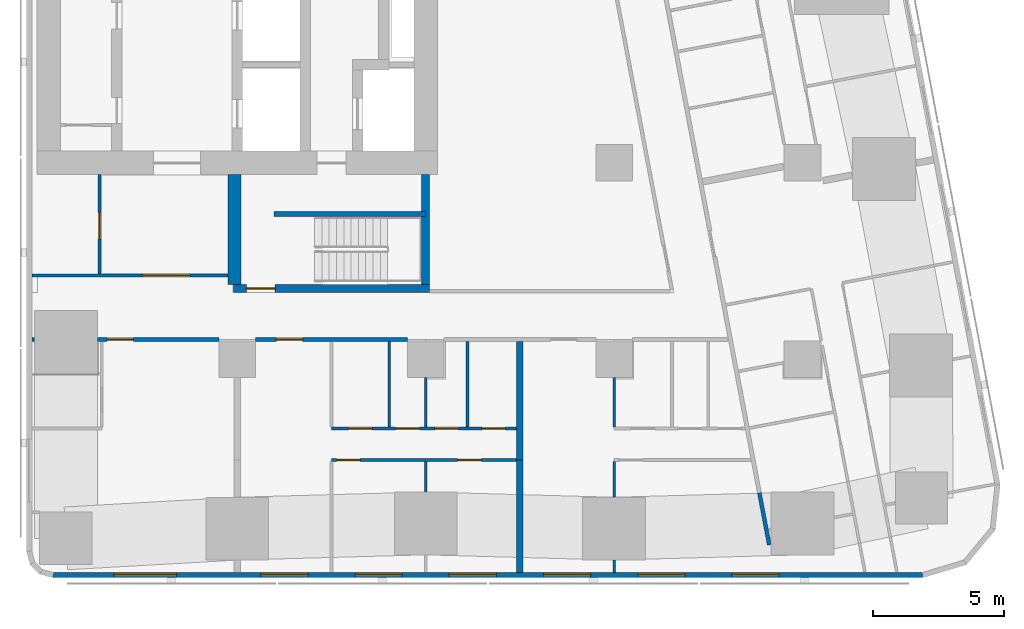
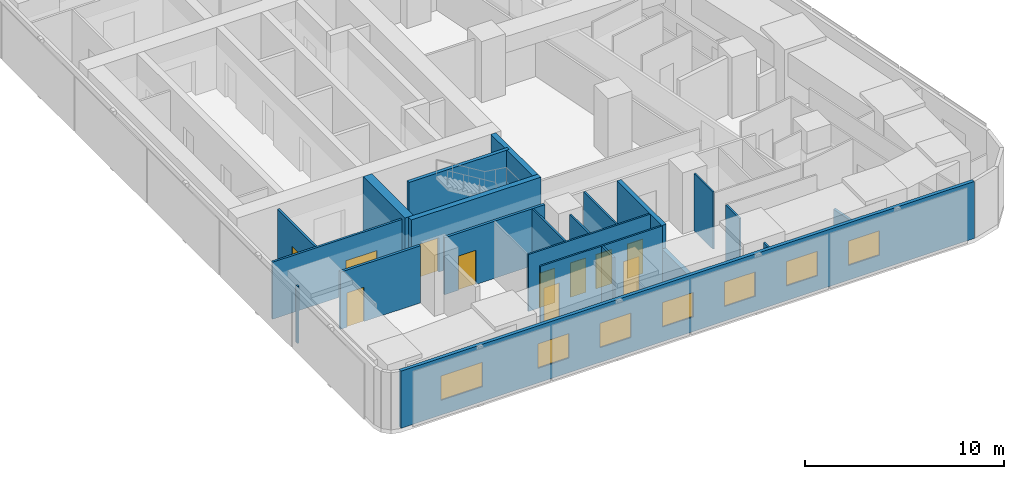
# One storey, part 2 of 10: 22 walls, 11 doors, 7 windows, 18 openings.
"""IFC4 building model written with IfcOpenShell, lengths in metres."""

from ifc_helpers import new_model, si_unit, direction, frame, frame_2d, origin, place, context, subcontext, project, spatial, rectangle, extrude, material, layer, layer_set, type_object, element, fill, save


model = new_model("IFC4")

# Units and contexts
model_context = context("Model", 3, precision=1e-05, world=origin(), true_north=direction((0.0, 1.0)))
body_context = subcontext(model_context, "Body", "Model", "MODEL_VIEW")
ifc_project = project(units=[si_unit("LENGTHUNIT", "METRE"), si_unit("AREAUNIT", "SQUARE_METRE"), si_unit("VOLUMEUNIT", "CUBIC_METRE"), si_unit("PLANEANGLEUNIT", "RADIAN"), si_unit("MASSUNIT", "GRAM", prefix="KILO")], contexts=[model_context])

# Site, building, storey
site_placement = place(None, origin())
site = spatial("IfcSite", under=ifc_project, at=site_placement, CompositionType="ELEMENT")
building_placement = place(site_placement, origin())
building = spatial("IfcBuilding", under=site, at=building_placement, Name="Sheger Commons Tower", CompositionType="ELEMENT")
storey_placement = place(building_placement, frame((0.0, 0.0, 238.699951171875)))
storey = spatial("IfcBuildingStorey", under=building, at=storey_placement, Name="L61", CompositionType="ELEMENT", Elevation=238.699951171875)

# Wall, opening, door
ifc_material_1 = material(Name="Hollow concrete block masonry, skimmed both sides", Category="masonry")
ifc_layer_1 = layer(ifc_material_1, 0.14990234375)
ifc_layer_set_1 = layer_set([ifc_layer_1], Name="CORRIDOR WALL 150")
wall_type_1 = type_object("IfcWallType", Name="CORRIDOR WALL 150", PredefinedType="SOLIDWALL", material=ifc_layer_set_1)
wall_1_placement = place(storey_placement, frame((28.09912109375, 8.25, 0.0), z_axis=(0.0, 0.0, 1.0), x_axis=(-1.0, 0.0, 0.0)))
wall_1 = element("IfcWall", 1, at=wall_1_placement, inside=storey, type_object=wall_type_1, Name="Corridor wall L61", PredefinedType="SOLIDWALL", context=body_context, shape_type="SweptSolid", body=[
    extrude(rectangle(XDim=5.798095703125, YDim=0.14990234375, at=frame_2d((2.89892578125, 0.0))), origin(), (0.0, 0.0, 1.0), 3.5),
])
opening_1_placement = place(wall_1_placement, frame((3.9990234375, 0.0, 0.0)))
opening_1 = element("IfcOpeningElement", 2, at=opening_1_placement, cuts=wall_1, Name="Opening D1", PredefinedType="OPENING", context=body_context, shape_type="SweptSolid", body=[
    extrude(rectangle(XDim=1.0, YDim=2.10009765625, at=frame_2d((0.5, 1.050048828125))), frame((0.0, 0.0849609375, 0.0), z_axis=(0.0, -1.0, 0.0), x_axis=(1.0, 0.0, 0.0)), (0.0, 0.0, 1.0), 0.169921875),
])
ifc_material_2 = material(Name="Steel door set, fire rated", Category="steel")
door_type_1 = type_object("IfcDoorType", Name="FLAT ENTRANCE DOOR 1000x2100", OperationType="NOTDEFINED", PredefinedType="DOOR", material=ifc_material_2)
door_1_placement = place(opening_1_placement, origin())
door_1 = element("IfcDoor", 3, at=door_1_placement, inside=storey, type_object=door_type_1, Name="Flat entrance door", OperationType="SINGLE_SWING_RIGHT", OverallHeight=2.10009765625, OverallWidth=1.0, PredefinedType="DOOR", context=body_context, shape_type="SweptSolid", body=[
    extrude(rectangle(XDim=1.0, YDim=2.10009765625, at=frame_2d((0.5, 1.050048828125))), frame((0.0, 0.02490234375, 0.0), z_axis=(0.0, -1.0, 0.0), x_axis=(1.0, 0.0, 0.0)), (0.0, 0.0, 1.0), 0.050048828125),
])
fill(opening_1, door_1)

wall_2_placement = place(storey_placement, frame((20.89892578125, 8.25, 0.0), z_axis=(0.0, 0.0, 1.0), x_axis=(-1.0, 0.0, 0.0)))
wall_2 = element("IfcWall", 4, at=wall_2_placement, inside=storey, type_object=wall_type_1, Name="Corridor wall L61", PredefinedType="SOLIDWALL", context=body_context, shape_type="SweptSolid", body=[
    extrude(rectangle(XDim=4.64404296875, YDim=0.14990234375, at=frame_2d((2.322021484375, 0.0))), origin(), (0.0, 0.0, 1.0), 3.5),
])
opening_2_placement = place(wall_2_placement, frame((3.27001953125, 0.0, 0.0)))
opening_2 = element("IfcOpeningElement", 5, at=opening_2_placement, cuts=wall_2, Name="Opening D1", PredefinedType="OPENING", context=body_context, shape_type="SweptSolid", body=[
    extrude(rectangle(XDim=1.0, YDim=2.10009765625, at=frame_2d((0.5, 1.050048828125))), frame((0.0, 0.0849609375, 0.0), z_axis=(0.0, -1.0, 0.0), x_axis=(1.0, 0.0, 0.0)), (0.0, 0.0, 1.0), 0.169921875),
])
door_2_placement = place(opening_2_placement, origin())
door_2 = element("IfcDoor", 6, at=door_2_placement, inside=storey, type_object=door_type_1, Name="Flat entrance door", OperationType="SINGLE_SWING_RIGHT", OverallHeight=2.10009765625, OverallWidth=1.0, PredefinedType="DOOR", context=body_context, shape_type="SweptSolid", body=[
    extrude(rectangle(XDim=1.0, YDim=2.10009765625, at=frame_2d((0.5, 1.050048828125))), frame((0.0, 0.02490234375, 0.0), z_axis=(0.0, -1.0, 0.0), x_axis=(1.0, 0.0, 0.0)), (0.0, 0.0, 1.0), 0.050048828125),
])
fill(opening_2, door_2)

# Walls
wall_3_placement = place(storey_placement, frame((13.85302734375, 8.25, 0.0), z_axis=(0.0, 0.0, 1.0), x_axis=(-1.0, 0.0, 0.0)))
element("IfcWall", 7, at=wall_3_placement, inside=storey, type_object=wall_type_1, Name="Corridor wall L61", PredefinedType="SOLIDWALL", context=body_context, shape_type="SweptSolid", body=[
    extrude(rectangle(XDim=0.10302734375, YDim=0.14990234375, at=frame_2d((0.051513671875, 0.0))), origin(), (0.0, 0.0, 1.0), 3.5),
])
wall_4_placement = place(storey_placement, frame((41.552001953125, 2.39208984375, 0.0), z_axis=(0.0, 0.0, 1.0), x_axis=(0.185535500323, -0.982637561932, 0.0)))
element("IfcWall", 8, at=wall_4_placement, inside=storey, type_object=wall_type_1, Name="Corridor wall L61", PredefinedType="SOLIDWALL", context=body_context, shape_type="SweptSolid", body=[
    extrude(rectangle(XDim=2.021240234375, YDim=0.14990234375, at=frame_2d((1.0107421875, 0.0))), origin(), (0.0, 0.0, 1.0), 2.050048828125),
])
ifc_material_3 = material(Name="Dense concrete block masonry, plastered both sides (separating wall between flats)", Category="masonry")
ifc_layer_2 = layer(ifc_material_3, 0.25)
ifc_layer_set_2 = layer_set([ifc_layer_2], Name="DEMISING WALL 250")
wall_type_2 = type_object("IfcWallType", Name="DEMISING WALL 250", PredefinedType="SOLIDWALL", material=ifc_layer_set_2)
wall_5_placement = place(storey_placement, frame((32.39990234375, -0.64990234375, 0.0), z_axis=(0.0, 0.0, 1.0), x_axis=(0.0, 1.0, 0.0)))
element("IfcWall", 9, at=wall_5_placement, inside=storey, type_object=wall_type_2, Name="Demising wall L61", PredefinedType="SOLIDWALL", context=body_context, shape_type="SweptSolid", body=[
    extrude(rectangle(XDim=4.2998046875, YDim=0.25, at=frame_2d((2.14990234375, 0.0))), origin(), (0.0, 0.0, 1.0), 2.050048828125),
])
wall_6_placement = place(storey_placement, frame((32.39990234375, 3.64990234375, 0.0), z_axis=(0.0, 0.0, 1.0), x_axis=(0.0, 1.0, 0.0)))
element("IfcWall", 10, at=wall_6_placement, inside=storey, type_object=wall_type_2, Name="Demising wall L61", PredefinedType="SOLIDWALL", context=body_context, shape_type="SweptSolid", body=[
    extrude(rectangle(XDim=4.525146484375, YDim=0.25, at=frame_2d((2.2626953125, 0.0))), origin(), (0.0, 0.0, 1.0), 3.5),
])

# Wall, openings, windows
ifc_material_4 = material(Name="Rendered concrete block masonry, dark grey", Category="masonry")
ifc_layer_3 = layer(ifc_material_4, 0.199951171875)
ifc_layer_set_3 = layer_set([ifc_layer_3], Name="FACADE WALL 200")
wall_type_3 = type_object("IfcWallType", Name="FACADE WALL 200", PredefinedType="SOLIDWALL", material=ifc_layer_set_3)
wall_7_placement = place(storey_placement, frame((14.56298828125, -0.75, 0.0), z_axis=(0.0, 0.0, 1.0), x_axis=(1.0, 0.0, 0.0)))
wall_7 = element("IfcWall", 11, at=wall_7_placement, inside=storey, type_object=wall_type_3, Name="Facade wall L61", PredefinedType="SOLIDWALL", context=body_context, shape_type="SweptSolid", body=[
    extrude(rectangle(XDim=33.22802734375, YDim=0.199951171875, at=frame_2d((16.614013671875, 0.0))), origin(), (0.0, 0.0, 1.0), 3.5),
])
opening_3_placement = place(wall_7_placement, frame((2.319091796875, 0.0, 0.89990234375)))
opening_3 = element("IfcOpeningElement", 12, at=opening_3_placement, cuts=wall_7, Name="Opening W1", PredefinedType="OPENING", context=body_context, shape_type="SweptSolid", body=[
    extrude(rectangle(XDim=2.39990234375, YDim=1.5, at=frame_2d((1.199951171875, 0.75))), frame((0.0, 0.10986328125, 0.0), z_axis=(0.0, -1.0, 0.0), x_axis=(1.0, 0.0, 0.0)), (0.0, 0.0, 1.0), 0.219970703125),
])
opening_4_placement = place(wall_7_placement, frame((7.93701171875, 0.0, 0.89990234375)))
opening_4 = element("IfcOpeningElement", 13, at=opening_4_placement, cuts=wall_7, Name="Opening W2", PredefinedType="OPENING", context=body_context, shape_type="SweptSolid", body=[
    extrude(rectangle(XDim=1.800048828125, YDim=1.5, at=frame_2d((0.89990234375, 0.75))), frame((0.0, 0.10986328125, 0.0), z_axis=(0.0, -1.0, 0.0), x_axis=(1.0, 0.0, 0.0)), (0.0, 0.0, 1.0), 0.219970703125),
])
opening_5_placement = place(wall_7_placement, frame((11.537109375, 0.0, 0.89990234375)))
opening_5 = element("IfcOpeningElement", 14, at=opening_5_placement, cuts=wall_7, Name="Opening W2", PredefinedType="OPENING", context=body_context, shape_type="SweptSolid", body=[
    extrude(rectangle(XDim=1.800048828125, YDim=1.5, at=frame_2d((0.89990234375, 0.75))), frame((0.0, 0.10986328125, 0.0), z_axis=(0.0, -1.0, 0.0), x_axis=(1.0, 0.0, 0.0)), (0.0, 0.0, 1.0), 0.219970703125),
])
opening_6_placement = place(wall_7_placement, frame((15.136962890625, 0.0, 0.89990234375)))
opening_6 = element("IfcOpeningElement", 15, at=opening_6_placement, cuts=wall_7, Name="Opening W2", PredefinedType="OPENING", context=body_context, shape_type="SweptSolid", body=[
    extrude(rectangle(XDim=1.800048828125, YDim=1.5, at=frame_2d((0.89990234375, 0.75))), frame((0.0, 0.10986328125, 0.0), z_axis=(0.0, -1.0, 0.0), x_axis=(1.0, 0.0, 0.0)), (0.0, 0.0, 1.0), 0.219970703125),
])
opening_7_placement = place(wall_7_placement, frame((18.737060546875, 0.0, 0.89990234375)))
opening_7 = element("IfcOpeningElement", 16, at=opening_7_placement, cuts=wall_7, Name="Opening W2", PredefinedType="OPENING", context=body_context, shape_type="SweptSolid", body=[
    extrude(rectangle(XDim=1.800048828125, YDim=1.5, at=frame_2d((0.89990234375, 0.75))), frame((0.0, 0.10986328125, 0.0), z_axis=(0.0, -1.0, 0.0), x_axis=(1.0, 0.0, 0.0)), (0.0, 0.0, 1.0), 0.219970703125),
])
opening_8_placement = place(wall_7_placement, frame((22.3369140625, 0.0, 0.89990234375)))
opening_8 = element("IfcOpeningElement", 17, at=opening_8_placement, cuts=wall_7, Name="Opening W2", PredefinedType="OPENING", context=body_context, shape_type="SweptSolid", body=[
    extrude(rectangle(XDim=1.800048828125, YDim=1.5, at=frame_2d((0.89990234375, 0.75))), frame((0.0, 0.10986328125, 0.0), z_axis=(0.0, -1.0, 0.0), x_axis=(1.0, 0.0, 0.0)), (0.0, 0.0, 1.0), 0.219970703125),
])
opening_9_placement = place(wall_7_placement, frame((25.93701171875, 0.0, 0.89990234375)))
opening_9 = element("IfcOpeningElement", 18, at=opening_9_placement, cuts=wall_7, Name="Opening W2", PredefinedType="OPENING", context=body_context, shape_type="SweptSolid", body=[
    extrude(rectangle(XDim=1.800048828125, YDim=1.5, at=frame_2d((0.89990234375, 0.75))), frame((0.0, 0.10986328125, 0.0), z_axis=(0.0, -1.0, 0.0), x_axis=(1.0, 0.0, 0.0)), (0.0, 0.0, 1.0), 0.219970703125),
])
ifc_material_5 = material(Name="Black aluminium frame, dark tinted double glazing", Category="aluminium")
window_type_1 = type_object("IfcWindowType", Name="WINDOW W1 2400x1500", PartitioningType="SINGLE_PANEL", PredefinedType="WINDOW", material=ifc_material_5)
window_1_placement = place(opening_3_placement, origin())
window_1 = element("IfcWindow", 19, at=window_1_placement, inside=storey, type_object=window_type_1, Name="Window W1 2400X1500", OverallHeight=1.5, OverallWidth=2.39990234375, PartitioningType="SINGLE_PANEL", PredefinedType="WINDOW", context=body_context, shape_type="SweptSolid", body=[
    extrude(rectangle(XDim=2.39990234375, YDim=1.5, at=frame_2d((1.199951171875, 0.75))), frame((0.0, 0.030029296875, 0.0), z_axis=(0.0, -1.0, 0.0), x_axis=(1.0, 0.0, 0.0)), (0.0, 0.0, 1.0), 0.06005859375),
])
fill(opening_3, window_1)
ifc_material_6 = material(Name="Black aluminium frame, dark tinted double glazing", Category="aluminium")
window_type_2 = type_object("IfcWindowType", Name="WINDOW W2 1800x1500", PartitioningType="SINGLE_PANEL", PredefinedType="WINDOW", material=ifc_material_6)
window_2_placement = place(opening_4_placement, origin())
window_2 = element("IfcWindow", 20, at=window_2_placement, inside=storey, type_object=window_type_2, Name="Window W2 1800X1500", OverallHeight=1.5, OverallWidth=1.800048828125, PartitioningType="SINGLE_PANEL", PredefinedType="WINDOW", context=body_context, shape_type="SweptSolid", body=[
    extrude(rectangle(XDim=1.800048828125, YDim=1.5, at=frame_2d((0.89990234375, 0.75))), frame((0.0, 0.030029296875, 0.0), z_axis=(0.0, -1.0, 0.0), x_axis=(1.0, 0.0, 0.0)), (0.0, 0.0, 1.0), 0.06005859375),
])
fill(opening_4, window_2)
window_3_placement = place(opening_5_placement, origin())
window_3 = element("IfcWindow", 21, at=window_3_placement, inside=storey, type_object=window_type_2, Name="Window W2 1800X1500", OverallHeight=1.5, OverallWidth=1.800048828125, PartitioningType="SINGLE_PANEL", PredefinedType="WINDOW", context=body_context, shape_type="SweptSolid", body=[
    extrude(rectangle(XDim=1.800048828125, YDim=1.5, at=frame_2d((0.89990234375, 0.75))), frame((0.0, 0.030029296875, 0.0), z_axis=(0.0, -1.0, 0.0), x_axis=(1.0, 0.0, 0.0)), (0.0, 0.0, 1.0), 0.06005859375),
])
fill(opening_5, window_3)
window_4_placement = place(opening_6_placement, origin())
window_4 = element("IfcWindow", 22, at=window_4_placement, inside=storey, type_object=window_type_2, Name="Window W2 1800X1500", OverallHeight=1.5, OverallWidth=1.800048828125, PartitioningType="SINGLE_PANEL", PredefinedType="WINDOW", context=body_context, shape_type="SweptSolid", body=[
    extrude(rectangle(XDim=1.800048828125, YDim=1.5, at=frame_2d((0.89990234375, 0.75))), frame((0.0, 0.030029296875, 0.0), z_axis=(0.0, -1.0, 0.0), x_axis=(1.0, 0.0, 0.0)), (0.0, 0.0, 1.0), 0.06005859375),
])
fill(opening_6, window_4)
window_5_placement = place(opening_7_placement, origin())
window_5 = element("IfcWindow", 23, at=window_5_placement, inside=storey, type_object=window_type_2, Name="Window W2 1800X1500", OverallHeight=1.5, OverallWidth=1.800048828125, PartitioningType="SINGLE_PANEL", PredefinedType="WINDOW", context=body_context, shape_type="SweptSolid", body=[
    extrude(rectangle(XDim=1.800048828125, YDim=1.5, at=frame_2d((0.89990234375, 0.75))), frame((0.0, 0.030029296875, 0.0), z_axis=(0.0, -1.0, 0.0), x_axis=(1.0, 0.0, 0.0)), (0.0, 0.0, 1.0), 0.06005859375),
])
fill(opening_7, window_5)
window_6_placement = place(opening_8_placement, origin())
window_6 = element("IfcWindow", 24, at=window_6_placement, inside=storey, type_object=window_type_2, Name="Window W2 1800X1500", OverallHeight=1.5, OverallWidth=1.800048828125, PartitioningType="SINGLE_PANEL", PredefinedType="WINDOW", context=body_context, shape_type="SweptSolid", body=[
    extrude(rectangle(XDim=1.800048828125, YDim=1.5, at=frame_2d((0.89990234375, 0.75))), frame((0.0, 0.030029296875, 0.0), z_axis=(0.0, -1.0, 0.0), x_axis=(1.0, 0.0, 0.0)), (0.0, 0.0, 1.0), 0.06005859375),
])
fill(opening_8, window_6)
window_7_placement = place(opening_9_placement, origin())
window_7 = element("IfcWindow", 25, at=window_7_placement, inside=storey, type_object=window_type_2, Name="Window W2 1800X1500", OverallHeight=1.5, OverallWidth=1.800048828125, PartitioningType="SINGLE_PANEL", PredefinedType="WINDOW", context=body_context, shape_type="SweptSolid", body=[
    extrude(rectangle(XDim=1.800048828125, YDim=1.5, at=frame_2d((0.89990234375, 0.75))), frame((0.0, 0.030029296875, 0.0), z_axis=(0.0, -1.0, 0.0), x_axis=(1.0, 0.0, 0.0)), (0.0, 0.0, 1.0), 0.06005859375),
])
fill(opening_9, window_7)

# Wall, openings, doors
ifc_material_7 = material(Name="Gypsum board on steel studs", Category="steel")
ifc_layer_4 = layer(ifc_material_7, 0.10009765625)
ifc_layer_set_4 = layer_set([ifc_layer_4], Name="PARTITION 100")
wall_type_4 = type_object("IfcWallType", Name="PARTITION 100", PredefinedType="PARTITIONING", material=ifc_layer_set_4)
wall_8_placement = place(storey_placement, frame((32.27490234375, 3.64990234375, 0.0), z_axis=(0.0, 0.0, 1.0), x_axis=(-1.0, 0.0, 0.0)))
wall_8 = element("IfcWall", 26, at=wall_8_placement, inside=storey, type_object=wall_type_4, Name="Partition L61", PredefinedType="PARTITIONING", context=body_context, shape_type="SweptSolid", body=[
    extrude(rectangle(XDim=7.074951171875, YDim=0.10009765625, at=frame_2d((3.53759765625, 0.0))), origin(), (0.0, 0.0, 1.0), 3.5),
])
opening_10_placement = place(wall_8_placement, frame((5.97509765625, 0.0, 0.0)))
opening_10 = element("IfcOpeningElement", 27, at=opening_10_placement, cuts=wall_8, Name="Opening D2", PredefinedType="OPENING", context=body_context, shape_type="SweptSolid", body=[
    extrude(rectangle(XDim=0.89990234375, YDim=2.10009765625, at=frame_2d((0.449951171875, 1.050048828125))), frame((0.0, 0.06005859375, 0.0), z_axis=(0.0, -1.0, 0.0), x_axis=(1.0, 0.0, 0.0)), (0.0, 0.0, 1.0), 0.1201171875),
])
opening_11_placement = place(wall_8_placement, frame((1.35009765625, 0.0, 0.0)))
opening_11 = element("IfcOpeningElement", 28, at=opening_11_placement, cuts=wall_8, Name="Opening D2", PredefinedType="OPENING", context=body_context, shape_type="SweptSolid", body=[
    extrude(rectangle(XDim=0.89990234375, YDim=2.10009765625, at=frame_2d((0.449951171875, 1.050048828125))), frame((0.0, 0.06005859375, 0.0), z_axis=(0.0, -1.0, 0.0), x_axis=(1.0, 0.0, 0.0)), (0.0, 0.0, 1.0), 0.1201171875),
])
ifc_material_8 = material(Name="Timber door set", Category="wood")
door_type_2 = type_object("IfcDoorType", Name="INTERNAL DOOR 900x2100", OperationType="NOTDEFINED", PredefinedType="DOOR", material=ifc_material_8)
door_3_placement = place(opening_10_placement, origin())
door_3 = element("IfcDoor", 29, at=door_3_placement, inside=storey, type_object=door_type_2, Name="Main bedroom door", OperationType="SINGLE_SWING_RIGHT", OverallHeight=2.10009765625, OverallWidth=0.89990234375, PredefinedType="DOOR", context=body_context, shape_type="SweptSolid", body=[
    extrude(rectangle(XDim=0.89990234375, YDim=2.10009765625, at=frame_2d((0.449951171875, 1.050048828125))), frame((0.0, 0.02490234375, 0.0), z_axis=(0.0, -1.0, 0.0), x_axis=(1.0, 0.0, 0.0)), (0.0, 0.0, 1.0), 0.050048828125),
])
fill(opening_10, door_3)
door_4_placement = place(opening_11_placement, origin())
door_4 = element("IfcDoor", 30, at=door_4_placement, inside=storey, type_object=door_type_2, Name="Bedroom 2 door", OperationType="SINGLE_SWING_LEFT", OverallHeight=2.10009765625, OverallWidth=0.89990234375, PredefinedType="DOOR", context=body_context, shape_type="SweptSolid", body=[
    extrude(rectangle(XDim=0.89990234375, YDim=2.10009765625, at=frame_2d((0.449951171875, 1.050048828125))), frame((0.0, 0.02490234375, 0.0), z_axis=(0.0, -1.0, 0.0), x_axis=(1.0, 0.0, 0.0)), (0.0, 0.0, 1.0), 0.050048828125),
])
fill(opening_11, door_4)

wall_9_placement = place(storey_placement, frame((32.27490234375, 4.85009765625, 0.0), z_axis=(0.0, 0.0, 1.0), x_axis=(-1.0, 0.0, 0.0)))
wall_9 = element("IfcWall", 31, at=wall_9_placement, inside=storey, type_object=wall_type_4, Name="Partition L61", PredefinedType="PARTITIONING", context=body_context, shape_type="SweptSolid", body=[
    extrude(rectangle(XDim=7.074951171875, YDim=0.10009765625, at=frame_2d((3.53759765625, 0.0))), origin(), (0.0, 0.0, 1.0), 3.5),
])
opening_12_placement = place(wall_9_placement, frame((5.52001953125, 0.0, 0.0)))
opening_12 = element("IfcOpeningElement", 32, at=opening_12_placement, cuts=wall_9, Name="Opening D2", PredefinedType="OPENING", context=body_context, shape_type="SweptSolid", body=[
    extrude(rectangle(XDim=0.89990234375, YDim=2.10009765625, at=frame_2d((0.449951171875, 1.050048828125))), frame((0.0, 0.06005859375, 0.0), z_axis=(0.0, -1.0, 0.0), x_axis=(1.0, 0.0, 0.0)), (0.0, 0.0, 1.0), 0.1201171875),
])
opening_13_placement = place(wall_9_placement, frame((2.22509765625, 0.0, 0.0)))
opening_13 = element("IfcOpeningElement", 33, at=opening_13_placement, cuts=wall_9, Name="Opening D2", PredefinedType="OPENING", context=body_context, shape_type="SweptSolid", body=[
    extrude(rectangle(XDim=0.89990234375, YDim=2.10009765625, at=frame_2d((0.449951171875, 1.050048828125))), frame((0.0, 0.06005859375, 0.0), z_axis=(0.0, -1.0, 0.0), x_axis=(1.0, 0.0, 0.0)), (0.0, 0.0, 1.0), 0.1201171875),
])
opening_14_placement = place(wall_9_placement, frame((3.719970703125, 0.0, 0.0)))
opening_14 = element("IfcOpeningElement", 34, at=opening_14_placement, cuts=wall_9, Name="Opening D2", PredefinedType="OPENING", context=body_context, shape_type="SweptSolid", body=[
    extrude(rectangle(XDim=0.89990234375, YDim=2.10009765625, at=frame_2d((0.449951171875, 1.050048828125))), frame((0.0, 0.06005859375, 0.0), z_axis=(0.0, -1.0, 0.0), x_axis=(1.0, 0.0, 0.0)), (0.0, 0.0, 1.0), 0.1201171875),
])
opening_15_placement = place(wall_9_placement, frame((0.425048828125, 0.0, 0.0)))
opening_15 = element("IfcOpeningElement", 35, at=opening_15_placement, cuts=wall_9, Name="Opening D2", PredefinedType="OPENING", context=body_context, shape_type="SweptSolid", body=[
    extrude(rectangle(XDim=0.89990234375, YDim=2.10009765625, at=frame_2d((0.449951171875, 1.050048828125))), frame((0.0, 0.06005859375, 0.0), z_axis=(0.0, -1.0, 0.0), x_axis=(1.0, 0.0, 0.0)), (0.0, 0.0, 1.0), 0.1201171875),
])
door_5_placement = place(opening_12_placement, origin())
door_5 = element("IfcDoor", 36, at=door_5_placement, inside=storey, type_object=door_type_2, Name="Bathroom door", OperationType="SINGLE_SWING_LEFT", OverallHeight=2.10009765625, OverallWidth=0.89990234375, PredefinedType="DOOR", context=body_context, shape_type="SweptSolid", body=[
    extrude(rectangle(XDim=0.89990234375, YDim=2.10009765625, at=frame_2d((0.449951171875, 1.050048828125))), frame((0.0, 0.02490234375, 0.0), z_axis=(0.0, -1.0, 0.0), x_axis=(1.0, 0.0, 0.0)), (0.0, 0.0, 1.0), 0.050048828125),
])
fill(opening_12, door_5)
door_6_placement = place(opening_13_placement, origin())
door_6 = element("IfcDoor", 37, at=door_6_placement, inside=storey, type_object=door_type_2, Name="Shower room door", OperationType="SINGLE_SWING_RIGHT", OverallHeight=2.10009765625, OverallWidth=0.89990234375, PredefinedType="DOOR", context=body_context, shape_type="SweptSolid", body=[
    extrude(rectangle(XDim=0.89990234375, YDim=2.10009765625, at=frame_2d((0.449951171875, 1.050048828125))), frame((0.0, 0.02490234375, 0.0), z_axis=(0.0, -1.0, 0.0), x_axis=(1.0, 0.0, 0.0)), (0.0, 0.0, 1.0), 0.050048828125),
])
fill(opening_13, door_6)
door_7_placement = place(opening_14_placement, origin())
door_7 = element("IfcDoor", 38, at=door_7_placement, inside=storey, type_object=door_type_2, Name="Store door", OperationType="SINGLE_SWING_RIGHT", OverallHeight=2.10009765625, OverallWidth=0.89990234375, PredefinedType="DOOR", context=body_context, shape_type="SweptSolid", body=[
    extrude(rectangle(XDim=0.89990234375, YDim=2.10009765625, at=frame_2d((0.449951171875, 1.050048828125))), frame((0.0, 0.02490234375, 0.0), z_axis=(0.0, -1.0, 0.0), x_axis=(1.0, 0.0, 0.0)), (0.0, 0.0, 1.0), 0.050048828125),
])
fill(opening_14, door_7)
door_8_placement = place(opening_15_placement, origin())
door_8 = element("IfcDoor", 39, at=door_8_placement, inside=storey, type_object=door_type_2, Name="Store door", OperationType="SINGLE_SWING_RIGHT", OverallHeight=2.10009765625, OverallWidth=0.89990234375, PredefinedType="DOOR", context=body_context, shape_type="SweptSolid", body=[
    extrude(rectangle(XDim=0.89990234375, YDim=2.10009765625, at=frame_2d((0.449951171875, 1.050048828125))), frame((0.0, 0.02490234375, 0.0), z_axis=(0.0, -1.0, 0.0), x_axis=(1.0, 0.0, 0.0)), (0.0, 0.0, 1.0), 0.050048828125),
])
fill(opening_15, door_8)

# Walls
wall_10_placement = place(storey_placement, frame((28.800048828125, 2.426025390625, 0.0), z_axis=(0.0, 0.0, 1.0), x_axis=(0.0, 1.0, 0.0)))
element("IfcWall", 40, at=wall_10_placement, inside=storey, type_object=wall_type_4, Name="Partition L61", PredefinedType="PARTITIONING", context=body_context, shape_type="SweptSolid", body=[
    extrude(rectangle(XDim=1.174072265625, YDim=0.10009765625, at=frame_2d((0.5869140625, 0.0))), origin(), (0.0, 0.0, 1.0), 3.5),
])
wall_11_placement = place(storey_placement, frame((28.800048828125, 4.89990234375, 0.0), z_axis=(0.0, 0.0, 1.0), x_axis=(0.0, 1.0, 0.0)))
element("IfcWall", 41, at=wall_11_placement, inside=storey, type_object=wall_type_4, Name="Partition L61", PredefinedType="PARTITIONING", context=body_context, shape_type="SweptSolid", body=[
    extrude(rectangle(XDim=1.899169921875, YDim=0.10009765625, at=frame_2d((0.94970703125, 0.0))), origin(), (0.0, 0.0, 1.0), 3.5),
])
for number, where, z_axis, x_axis, name in (
    (42, (27.409912109375, 4.89990234375, 0.0), (0.0, 0.0, 1.0), (0.0, 1.0, 0.0), "Partition L61"),
    (43, (30.39990234375, 4.89990234375, 0.0), (0.0, 0.0, 1.0), (0.0, 1.0, 0.0), "Partition L61"),
):
    element("IfcWall", number, at=place(storey_placement, frame(where, z_axis=z_axis, x_axis=x_axis)), inside=storey, type_object=wall_type_4, Name=name, PredefinedType="PARTITIONING", context=body_context, shape_type="SweptSolid", body=[
        extrude(rectangle(XDim=3.275146484375, YDim=0.10009765625, at=frame_2d((1.6376953125, 0.0))), origin(), (0.0, 0.0, 1.0), 3.5),
    ])
wall_12_placement = place(storey_placement, frame((36.0, -0.64990234375, 0.0), z_axis=(0.0, 0.0, 1.0), x_axis=(0.0, 1.0, 0.0)))
element("IfcWall", 44, at=wall_12_placement, inside=storey, type_object=wall_type_4, Name="Partition L61", PredefinedType="PARTITIONING", context=body_context, shape_type="SweptSolid", body=[
    extrude(rectangle(XDim=0.473876953125, YDim=0.10009765625, at=frame_2d((0.23681640625, 0.0))), origin(), (0.0, 0.0, 1.0), 3.5),
])
wall_13_placement = place(storey_placement, frame((36.0, 2.22607421875, 0.0), z_axis=(0.0, 0.0, 1.0), x_axis=(0.0, 1.0, 0.0)))
element("IfcWall", 45, at=wall_13_placement, inside=storey, type_object=wall_type_4, Name="Partition L61", PredefinedType="PARTITIONING", context=body_context, shape_type="SweptSolid", body=[
    extrude(rectangle(XDim=1.3740234375, YDim=0.10009765625, at=frame_2d((0.68701171875, 0.0))), origin(), (0.0, 0.0, 1.0), 3.5),
])
wall_14_placement = place(storey_placement, frame((36.0, 4.89990234375, 0.0), z_axis=(0.0, 0.0, 1.0), x_axis=(0.0, 1.0, 0.0)))
element("IfcWall", 46, at=wall_14_placement, inside=storey, type_object=wall_type_4, Name="Partition L61", PredefinedType="PARTITIONING", context=body_context, shape_type="SweptSolid", body=[
    extrude(rectangle(XDim=1.899169921875, YDim=0.10009765625, at=frame_2d((0.94970703125, 0.0))), origin(), (0.0, 0.0, 1.0), 3.5),
])

# Wall, opening, door
ifc_material_9 = material(Name="Gypsum board on steel studs, two layers each side, fire rated", Category="steel")
ifc_layer_5 = layer(ifc_material_9, 0.125)
ifc_layer_set_5 = layer_set([ifc_layer_5], Name="SERVICE WALL 125")
wall_type_5 = type_object("IfcWallType", Name="SERVICE WALL 125", PredefinedType="PARTITIONING", material=ifc_layer_set_5)
wall_15_placement = place(storey_placement, frame((13.75, 10.699951171875, 0.0), z_axis=(0.0, 0.0, 1.0), x_axis=(1.0, 0.0, 0.0)))
wall_15 = element("IfcWall", 47, at=wall_15_placement, inside=storey, type_object=wall_type_5, Name="Service room wall L61", PredefinedType="PARTITIONING", context=body_context, shape_type="SweptSolid", body=[
    extrude(rectangle(XDim=7.5, YDim=0.125, at=frame_2d((3.75, 0.0))), origin(), (0.0, 0.0, 1.0), 3.5),
])
opening_16_placement = place(wall_15_placement, frame((4.2451171875, 0.0, 0.0)))
opening_16 = element("IfcOpeningElement", 48, at=opening_16_placement, cuts=wall_15, Name="Opening D6", PredefinedType="OPENING", context=body_context, shape_type="SweptSolid", body=[
    extrude(rectangle(XDim=1.800048828125, YDim=2.10009765625, at=frame_2d((0.89990234375, 1.050048828125))), frame((0.0, 0.072509765625, 0.0), z_axis=(0.0, -1.0, 0.0), x_axis=(1.0, 0.0, 0.0)), (0.0, 0.0, 1.0), 0.14501953125),
])
ifc_material_10 = material(Name="Steel door set, fire rated", Category="steel")
door_type_3 = type_object("IfcDoorType", Name="LOBBY DOUBLE DOOR 1800x2100", OperationType="DOUBLE_DOOR_SINGLE_SWING", PredefinedType="DOOR", material=ifc_material_10)
door_9_placement = place(opening_16_placement, origin())
door_9 = element("IfcDoor", 49, at=door_9_placement, inside=storey, type_object=door_type_3, Name="Lift lobby south door", OperationType="DOUBLE_DOOR_SINGLE_SWING", OverallHeight=2.10009765625, OverallWidth=1.800048828125, PredefinedType="DOOR", context=body_context, shape_type="SweptSolid", body=[
    extrude(rectangle(XDim=1.800048828125, YDim=2.10009765625, at=frame_2d((0.89990234375, 1.050048828125))), frame((0.0, 0.02490234375, 0.0), z_axis=(0.0, -1.0, 0.0), x_axis=(1.0, 0.0, 0.0)), (0.0, 0.0, 1.0), 0.050048828125),
])
fill(opening_16, door_9)

wall_16_placement = place(storey_placement, frame((16.340087890625, 10.761962890625, 0.0), z_axis=(0.0, 0.0, 1.0), x_axis=(0.0, 1.0, 0.0)))
wall_16 = element("IfcWall", 50, at=wall_16_placement, inside=storey, type_object=wall_type_5, Name="Service room wall L61", PredefinedType="PARTITIONING", context=body_context, shape_type="SweptSolid", body=[
    extrude(rectangle(XDim=3.7880859375, YDim=0.125, at=frame_2d((1.89404296875, 0.0))), origin(), (0.0, 0.0, 1.0), 3.5),
])
opening_17_placement = place(wall_16_placement, frame((1.337890625, 0.0, 0.0)))
opening_17 = element("IfcOpeningElement", 51, at=opening_17_placement, cuts=wall_16, Name="Opening D4", PredefinedType="OPENING", context=body_context, shape_type="SweptSolid", body=[
    extrude(rectangle(XDim=1.0, YDim=2.10009765625, at=frame_2d((0.5, 1.050048828125))), frame((0.0, 0.072509765625, 0.0), z_axis=(0.0, -1.0, 0.0), x_axis=(1.0, 0.0, 0.0)), (0.0, 0.0, 1.0), 0.14501953125),
])
ifc_material_11 = material(Name="Steel door set, fire rated", Category="steel")
door_type_4 = type_object("IfcDoorType", Name="SERVICE DOOR 1000x2100", OperationType="NOTDEFINED", PredefinedType="DOOR", material=ifc_material_11)
door_10_placement = place(opening_17_placement, origin())
door_10 = element("IfcDoor", 52, at=door_10_placement, inside=storey, type_object=door_type_4, Name="Electrical room door", OperationType="SINGLE_SWING_LEFT", OverallHeight=2.10009765625, OverallWidth=1.0, PredefinedType="DOOR", context=body_context, shape_type="SweptSolid", body=[
    extrude(rectangle(XDim=1.0, YDim=2.10009765625, at=frame_2d((0.5, 1.050048828125))), frame((0.0, 0.02490234375, 0.0), z_axis=(0.0, -1.0, 0.0), x_axis=(1.0, 0.0, 0.0)), (0.0, 0.0, 1.0), 0.050048828125),
])
fill(opening_17, door_10)

ifc_material_12 = material(Name="Concrete C50/60", Category="concrete")
ifc_layer_6 = layer(ifc_material_12, 0.300048828125)
ifc_layer_set_6 = layer_set([ifc_layer_6], Name="STAIR CORE WALL 300")
wall_type_6 = type_object("IfcWallType", Name="STAIR CORE WALL 300", PredefinedType="SHEAR", material=ifc_layer_set_6)
wall_17_placement = place(storey_placement, frame((21.449951171875, 10.199951171875, 0.0), z_axis=(0.0, 0.0, 1.0), x_axis=(1.0, 0.0, 0.0)))
wall_17 = element("IfcWall", 53, at=wall_17_placement, inside=storey, type_object=wall_type_6, Name="STW-L61-S1S", PredefinedType="SHEAR", context=body_context, shape_type="SweptSolid", body=[
    extrude(rectangle(XDim=7.5, YDim=0.300048828125, at=frame_2d((3.75, 0.0))), origin(), (0.0, 0.0, 1.0), 3.75),
])
opening_18_placement = place(wall_17_placement, frame((0.5, 0.0, 0.0)))
opening_18 = element("IfcOpeningElement", 54, at=opening_18_placement, cuts=wall_17, Name="Opening D5", PredefinedType="OPENING", context=body_context, shape_type="SweptSolid", body=[
    extrude(rectangle(XDim=1.10009765625, YDim=2.10009765625, at=frame_2d((0.550048828125, 1.050048828125))), frame((0.0, 0.159912109375, 0.0), z_axis=(0.0, -1.0, 0.0), x_axis=(1.0, 0.0, 0.0)), (0.0, 0.0, 1.0), 0.320068359375),
])
ifc_material_13 = material(Name="Steel door set, fire rated", Category="steel")
door_type_5 = type_object("IfcDoorType", Name="STAIR DOOR 1100x2100", OperationType="NOTDEFINED", PredefinedType="DOOR", material=ifc_material_13)
door_11_placement = place(opening_18_placement, origin())
door_11 = element("IfcDoor", 55, at=door_11_placement, inside=storey, type_object=door_type_5, Name="Stair S1 door", OperationType="SINGLE_SWING_LEFT", OverallHeight=2.10009765625, OverallWidth=1.10009765625, PredefinedType="DOOR", context=body_context, shape_type="SweptSolid", body=[
    extrude(rectangle(XDim=1.10009765625, YDim=2.10009765625, at=frame_2d((0.550048828125, 1.050048828125))), frame((0.0, 0.02490234375, 0.0), z_axis=(0.0, -1.0, 0.0), x_axis=(1.0, 0.0, 0.0)), (0.0, 0.0, 1.0), 0.050048828125),
])
fill(opening_18, door_11)

# Walls
wall_18_placement = place(storey_placement, frame((28.800048828125, 10.35009765625, 0.0), z_axis=(0.0, 0.0, 1.0), x_axis=(0.0, 1.0, 0.0)))
element("IfcWall", 56, at=wall_18_placement, inside=storey, type_object=wall_type_6, Name="STW-L61-S1E", PredefinedType="SHEAR", context=body_context, shape_type="SweptSolid", body=[
    extrude(rectangle(XDim=4.199951171875, YDim=0.300048828125, at=frame_2d((2.10009765625, 0.0))), origin(), (0.0, 0.0, 1.0), 3.75),
])
ifc_material_14 = material(Name="Concrete C50/60", Category="concrete")
ifc_layer_7 = layer(ifc_material_14, 0.5)
ifc_layer_set_7 = layer_set([ifc_layer_7], Name="STAIR CORE WALL 500")
wall_type_7 = type_object("IfcWallType", Name="STAIR CORE WALL 500", PredefinedType="SHEAR", material=ifc_layer_set_7)
wall_19_placement = place(storey_placement, frame((21.5, 10.35009765625, 0.0), z_axis=(0.0, 0.0, 1.0), x_axis=(0.0, 1.0, 0.0)))
element("IfcWall", 57, at=wall_19_placement, inside=storey, type_object=wall_type_7, Name="STW-L61-S1W", PredefinedType="SHEAR", context=body_context, shape_type="SweptSolid", body=[
    extrude(rectangle(XDim=4.199951171875, YDim=0.5, at=frame_2d((2.10009765625, 0.0))), origin(), (0.0, 0.0, 1.0), 3.75),
])
ifc_material_15 = material(Name="Concrete C50/60", Category="concrete")
ifc_layer_8 = layer(ifc_material_15, 0.199951171875)
ifc_layer_set_8 = layer_set([ifc_layer_8], Name="STAIR SPINE WALL 200")
wall_type_8 = type_object("IfcWallType", Name="STAIR SPINE WALL 200", PredefinedType="SHEAR", material=ifc_layer_set_8)
wall_20_placement = place(storey_placement, frame((23.0, 13.050048828125, 0.0), z_axis=(0.0, 0.0, 1.0), x_axis=(1.0, 0.0, 0.0)))
element("IfcWall", 58, at=wall_20_placement, inside=storey, type_object=wall_type_8, Name="Stair spine wall L61", PredefinedType="SHEAR", context=body_context, shape_type="SweptSolid", body=[
    extrude(rectangle(XDim=5.800048828125, YDim=0.199951171875, at=frame_2d((2.89990234375, 0.0))), origin(), (0.0, 0.0, 1.0), 3.75),
])

save(model, "model.ifc")
